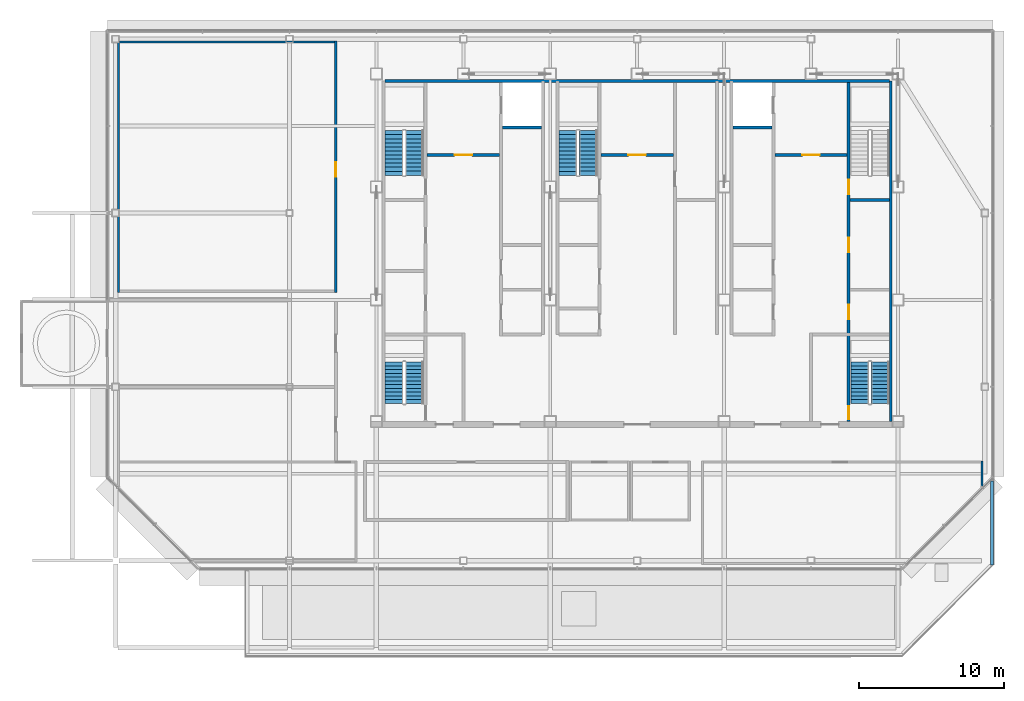
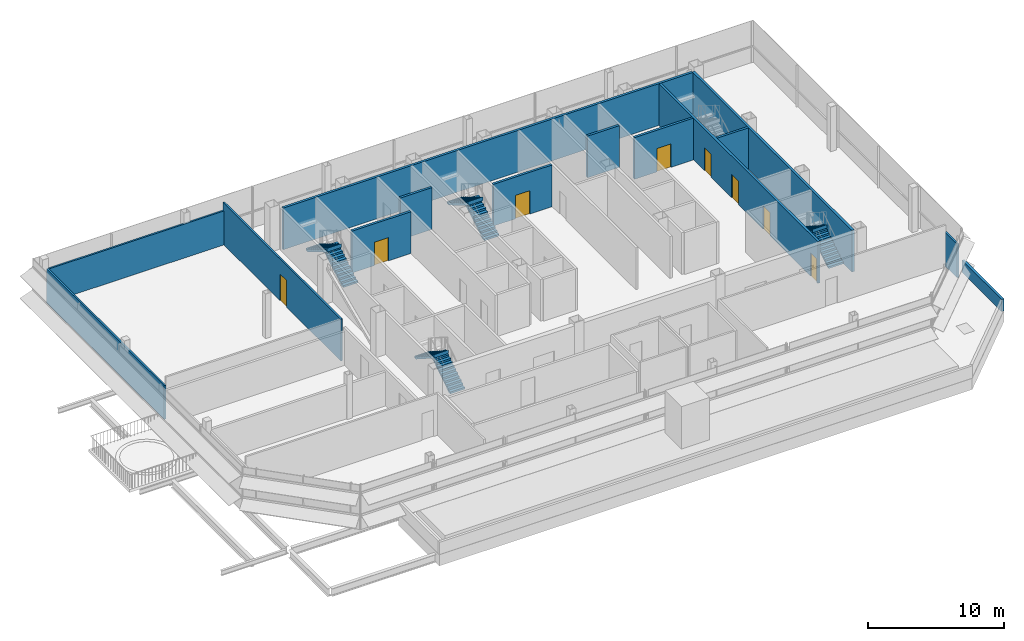
# One storey, part 22 of 26: 14 walls, 8 doors, 8 stair flights, 8 openings, 4 elements without a shape of their own.
"""IFC4 building model written with IfcOpenShell, lengths in metres."""

from ifc_helpers import new_model, si_unit, direction, frame, frame_2d, origin, place, context, subcontext, project, spatial, polyline, rectangle, outline, extrude, material, layer, layer_set, type_object, element, fill, aggregate, save


model = new_model("IFC4")

# Units and contexts
model_context = context("Model", 3, precision=1e-05, world=origin(), true_north=direction((0.0, 1.0)))
body_context = subcontext(model_context, "Body", "Model", "MODEL_VIEW")
ifc_project = project(units=[si_unit("LENGTHUNIT", "METRE"), si_unit("AREAUNIT", "SQUARE_METRE"), si_unit("VOLUMEUNIT", "CUBIC_METRE"), si_unit("PLANEANGLEUNIT", "RADIAN"), si_unit("MASSUNIT", "GRAM", prefix="KILO")], contexts=[model_context])

# Site, building, storey
site_placement = place(None, origin())
site = spatial("IfcSite", under=ifc_project, at=site_placement, CompositionType="ELEMENT")
building_placement = place(site_placement, origin())
building = spatial("IfcBuilding", under=site, at=building_placement, Name="Sorahane Residences", CompositionType="ELEMENT")
storey_placement = place(building_placement, frame((0.0, 0.0, 337.800048828125)))
storey = spatial("IfcBuildingStorey", under=building, at=storey_placement, Name="L80", CompositionType="ELEMENT", Elevation=337.800048828125)

# Walls
ifc_material_1 = material(Name="Concrete C30", Category="concrete")
ifc_layer_1 = layer(ifc_material_1, 0.199951171875)
ifc_layer_set_1 = layer_set([ifc_layer_1], Name="Core face wall 200 EI 180")
wall_type_1 = type_object("IfcWallType", Name="Core face wall 200 EI 180", PredefinedType="SOLIDWALL", material=ifc_layer_set_1)
wall_1_placement = place(storey_placement, frame((41.5, 21.60009765625, 0.0), z_axis=(0.0, 0.0, 1.0), x_axis=(0.0, 1.0, 0.0)))
element("IfcWall", 1, at=wall_1_placement, inside=storey, type_object=wall_type_1, Name="L80 core face wall", PredefinedType="SOLIDWALL", context=body_context, shape_type="SweptSolid", body=[
    extrude(rectangle(XDim=23.5, YDim=0.199951171875, at=frame_2d((11.75, 0.0))), origin(), (0.0, 0.0, 1.0), 3.75),
])
wall_2_placement = place(storey_placement, frame((6.60009765625, 45.10009765625, 0.0), z_axis=(0.0, 0.0, 1.0), x_axis=(1.0, 0.0, 0.0)))
element("IfcWall", 2, at=wall_2_placement, inside=storey, type_object=wall_type_1, Name="L80 core face wall", PredefinedType="SOLIDWALL", context=body_context, shape_type="SweptSolid", body=[
    extrude(rectangle(XDim=34.7998046875, YDim=0.199951171875, at=frame_2d((17.39990234375, 0.0))), origin(), (0.0, 0.0, 1.0), 3.75),
])

# Wall, opening, door
ifc_material_2 = material(Name="Concrete C30", Category="concrete")
ifc_layer_2 = layer(ifc_material_2, 0.199951171875)
ifc_layer_set_2 = layer_set([ifc_layer_2], Name="Front room wall 200 EI 120")
wall_type_2 = type_object("IfcWallType", Name="Front room wall 200 EI 120", PredefinedType="PARTITIONING", material=ifc_layer_set_2)
wall_3_placement = place(storey_placement, frame((21.5, 40.0, 0.0), z_axis=(0.0, 0.0, 1.0), x_axis=(1.0, 0.0, 0.0)))
wall_3 = element("IfcWall", 3, at=wall_3_placement, inside=storey, type_object=wall_type_2, Name="L80 front room wall", PredefinedType="PARTITIONING", context=body_context, shape_type="SweptSolid", body=[
    extrude(rectangle(XDim=5.0, YDim=0.199951171875, at=frame_2d((2.5, 0.0))), origin(), (0.0, 0.0, 1.0), 3.75),
])
opening_1_placement = place(wall_3_placement, frame((1.89990234375, 0.0, 0.0)))
opening_1 = element("IfcOpeningElement", 4, at=opening_1_placement, cuts=wall_3, Name="Opening L80-C07", PredefinedType="OPENING", context=body_context, shape_type="SweptSolid", body=[
    extrude(rectangle(XDim=1.199951171875, YDim=2.10009765625, at=frame_2d((0.60009765625, 1.050048828125))), frame((0.0, 0.10986328125, 0.0), z_axis=(0.0, -1.0, 0.0), x_axis=(1.0, 0.0, 0.0)), (0.0, 0.0, 1.0), 0.219970703125),
])
ifc_material_3 = material(Name="Steel", Category="steel")
door_type_1 = type_object("IfcDoorType", Name="Front room door 1200x2100 FD120", OperationType="NOTDEFINED", PredefinedType="DOOR", material=ifc_material_3)
door_1_placement = place(opening_1_placement, frame((1.199951171875, 0.0, 0.0), z_axis=(0.0, 0.0, 1.0), x_axis=(-1.0, 0.0, 0.0)))
door_1 = element("IfcDoor", 5, at=door_1_placement, inside=storey, type_object=door_type_1, Name="Front room door Stair S3 vestibule L80", OperationType="DOUBLE_DOOR_SINGLE_SWING", OverallHeight=2.10009765625, OverallWidth=1.199951171875, PredefinedType="DOOR", context=body_context, shape_type="SweptSolid", body=[
    extrude(rectangle(XDim=1.199951171875, YDim=2.10009765625, at=frame_2d((0.60009765625, 1.050048828125))), frame((0.0, 0.02490234375, 0.0), z_axis=(0.0, -1.0, 0.0), x_axis=(1.0, 0.0, 0.0)), (0.0, 0.0, 1.0), 0.050048828125),
])
fill(opening_1, door_1)

wall_4_placement = place(storey_placement, frame((33.5, 40.0, 0.0), z_axis=(0.0, 0.0, 1.0), x_axis=(1.0, 0.0, 0.0)))
wall_4 = element("IfcWall", 6, at=wall_4_placement, inside=storey, type_object=wall_type_2, Name="L80 front room wall", PredefinedType="PARTITIONING", context=body_context, shape_type="SweptSolid", body=[
    extrude(rectangle(XDim=5.0, YDim=0.199951171875, at=frame_2d((2.5, 0.0))), origin(), (0.0, 0.0, 1.0), 3.75),
])
opening_2_placement = place(wall_4_placement, frame((1.89990234375, 0.0, 0.0)))
opening_2 = element("IfcOpeningElement", 7, at=opening_2_placement, cuts=wall_4, Name="Opening L80-C08", PredefinedType="OPENING", context=body_context, shape_type="SweptSolid", body=[
    extrude(rectangle(XDim=1.199951171875, YDim=2.10009765625, at=frame_2d((0.60009765625, 1.050048828125))), frame((0.0, 0.10986328125, 0.0), z_axis=(0.0, -1.0, 0.0), x_axis=(1.0, 0.0, 0.0)), (0.0, 0.0, 1.0), 0.219970703125),
])
door_2_placement = place(opening_2_placement, frame((1.199951171875, 0.0, 0.0), z_axis=(0.0, 0.0, 1.0), x_axis=(-1.0, 0.0, 0.0)))
door_2 = element("IfcDoor", 8, at=door_2_placement, inside=storey, type_object=door_type_1, Name="Front room door Firefighting lobby FF2 front room L80", OperationType="DOUBLE_DOOR_SINGLE_SWING", OverallHeight=2.10009765625, OverallWidth=1.199951171875, PredefinedType="DOOR", context=body_context, shape_type="SweptSolid", body=[
    extrude(rectangle(XDim=1.199951171875, YDim=2.10009765625, at=frame_2d((0.60009765625, 1.050048828125))), frame((0.0, 0.02490234375, 0.0), z_axis=(0.0, -1.0, 0.0), x_axis=(1.0, 0.0, 0.0)), (0.0, 0.0, 1.0), 0.050048828125),
])
fill(opening_2, door_2)

wall_5_placement = place(storey_placement, frame((9.5, 40.0, 0.0), z_axis=(0.0, 0.0, 1.0), x_axis=(1.0, 0.0, 0.0)))
wall_5 = element("IfcWall", 9, at=wall_5_placement, inside=storey, type_object=wall_type_2, Name="L80 front room wall", PredefinedType="PARTITIONING", context=body_context, shape_type="SweptSolid", body=[
    extrude(rectangle(XDim=5.0, YDim=0.199951171875, at=frame_2d((2.5, 0.0))), origin(), (0.0, 0.0, 1.0), 3.75),
])
opening_3_placement = place(wall_5_placement, frame((1.89990234375, 0.0, 0.0)))
opening_3 = element("IfcOpeningElement", 10, at=opening_3_placement, cuts=wall_5, Name="Opening L80-C06", PredefinedType="OPENING", context=body_context, shape_type="SweptSolid", body=[
    extrude(rectangle(XDim=1.199951171875, YDim=2.10009765625, at=frame_2d((0.60009765625, 1.050048828125))), frame((0.0, 0.10986328125, 0.0), z_axis=(0.0, -1.0, 0.0), x_axis=(1.0, 0.0, 0.0)), (0.0, 0.0, 1.0), 0.219970703125),
])
door_3_placement = place(opening_3_placement, frame((1.199951171875, 0.0, 0.0), z_axis=(0.0, 0.0, 1.0), x_axis=(-1.0, 0.0, 0.0)))
door_3 = element("IfcDoor", 11, at=door_3_placement, inside=storey, type_object=door_type_1, Name="Front room door Firefighting lobby FF1 front room L80", OperationType="DOUBLE_DOOR_SINGLE_SWING", OverallHeight=2.10009765625, OverallWidth=1.199951171875, PredefinedType="DOOR", context=body_context, shape_type="SweptSolid", body=[
    extrude(rectangle(XDim=1.199951171875, YDim=2.10009765625, at=frame_2d((0.60009765625, 1.050048828125))), frame((0.0, 0.02490234375, 0.0), z_axis=(0.0, -1.0, 0.0), x_axis=(1.0, 0.0, 0.0)), (0.0, 0.0, 1.0), 0.050048828125),
])
fill(opening_3, door_3)

# Walls
ifc_material_4 = material(Name="Concrete C30", Category="concrete")
ifc_layer_3 = layer(ifc_material_4, 0.199951171875)
ifc_layer_set_3 = layer_set([ifc_layer_3], Name="Lift shaft wall 200 EI 120")
wall_type_3 = type_object("IfcWallType", Name="Lift shaft wall 200 EI 120", PredefinedType="SOLIDWALL", material=ifc_layer_set_3)
for number, where, z_axis, x_axis, name in (
    (12, (14.699951171875, 41.89990234375, 0.0), (0.0, 0.0, 1.0), (1.0, 0.0, 0.0), "L80 lift shaft wall"),
    (13, (30.60009765625, 41.89990234375, 0.0), (0.0, 0.0, 1.0), (1.0, 0.0, 0.0), "L80 lift shaft wall"),
):
    element("IfcWall", number, at=place(storey_placement, frame(where, z_axis=z_axis, x_axis=x_axis)), inside=storey, type_object=wall_type_3, Name=name, PredefinedType="SOLIDWALL", context=body_context, shape_type="SweptSolid", body=[
        extrude(rectangle(XDim=2.699951171875, YDim=0.199951171875, at=frame_2d((1.35009765625, 0.0))), origin(), (0.0, 0.0, 1.0), 3.75),
    ])
ifc_material_5 = material(Name="Concrete C35", Category="concrete")
ifc_layer_4 = layer(ifc_material_5, 0.199951171875)
ifc_layer_set_4 = layer_set([ifc_layer_4], Name="Parapet wall Concrete C35 200")
wall_type_4 = type_object("IfcWallType", Name="Parapet wall Concrete C35 200", PredefinedType="PARAPET", material=ifc_layer_set_4)
wall_6_placement = place(storey_placement, frame((48.5, 17.510009765625, 0.0), z_axis=(0.0, 0.0, 1.0), x_axis=(0.0, -1.0, 0.0)))
element("IfcWall", 14, at=wall_6_placement, inside=storey, type_object=wall_type_4, Name="Roof parapet L80.1.1.1", PredefinedType="PARAPET", context=body_context, shape_type="SweptSolid", body=[
    extrude(rectangle(XDim=5.817138671875, YDim=0.199951171875, at=frame_2d((2.90869140625, 0.0))), origin(), (0.0, 0.0, 1.0), 1.099853515625),
])
ifc_material_6 = material(Name="Gypsum board partition on steel studs", Category="steel")
ifc_layer_5 = layer(ifc_material_6, 0.14990234375)
ifc_layer_set_5 = layer_set([ifc_layer_5], Name="Partition 150 EI 90")
wall_type_5 = type_object("IfcWallType", Name="Partition 150 EI 90", PredefinedType="PARTITIONING", material=ifc_layer_set_5)
wall_7_placement = place(storey_placement, frame((-11.800048828125, 30.52490234375, 0.0), z_axis=(0.0, 0.0, 1.0), x_axis=(0.0, 1.0, 0.0)))
element("IfcWall", 15, at=wall_7_placement, inside=storey, type_object=wall_type_5, Name="L80 partition", PredefinedType="PARTITIONING", context=body_context, shape_type="SweptSolid", body=[
    extrude(rectangle(XDim=17.35009765625, YDim=0.14990234375, at=frame_2d((8.675048828125, 0.0))), origin(), (0.0, 0.0, 1.0), 3.050048828125),
])

# Wall, opening, door
wall_8_placement = place(storey_placement, frame((3.199951171875, 30.52490234375, 0.0), z_axis=(0.0, 0.0, 1.0), x_axis=(0.0, 1.0, 0.0)))
wall_8 = element("IfcWall", 16, at=wall_8_placement, inside=storey, type_object=wall_type_5, Name="L80 partition", PredefinedType="PARTITIONING", context=body_context, shape_type="SweptSolid", body=[
    extrude(rectangle(XDim=17.35009765625, YDim=0.14990234375, at=frame_2d((8.675048828125, 0.0))), origin(), (0.0, 0.0, 1.0), 3.75),
])
opening_4_placement = place(wall_8_placement, frame((7.97509765625, 0.0, 0.0)))
opening_4 = element("IfcOpeningElement", 17, at=opening_4_placement, cuts=wall_8, Name="Opening L80-05", PredefinedType="OPENING", context=body_context, shape_type="SweptSolid", body=[
    extrude(rectangle(XDim=1.0, YDim=2.39990234375, at=frame_2d((0.5, 1.199951171875))), frame((0.0, 0.0849609375, 0.0), z_axis=(0.0, -1.0, 0.0), x_axis=(1.0, 0.0, 0.0)), (0.0, 0.0, 1.0), 0.169921875),
])
ifc_material_7 = material(Name="Timber veneered fire door", Category="wood")
door_type_2 = type_object("IfcDoorType", Name="Room door 1000x2400 FD30", OperationType="NOTDEFINED", PredefinedType="DOOR", material=ifc_material_7)
door_4_placement = place(opening_4_placement, origin())
door_4 = element("IfcDoor", 18, at=door_4_placement, inside=storey, type_object=door_type_2, Name="Room door L80-05", OperationType="SINGLE_SWING_LEFT", OverallHeight=2.39990234375, OverallWidth=1.0, PredefinedType="DOOR", context=body_context, shape_type="SweptSolid", body=[
    extrude(rectangle(XDim=1.0, YDim=2.39990234375, at=frame_2d((0.5, 1.199951171875))), frame((0.0, 0.02490234375, 0.0), z_axis=(0.0, -1.0, 0.0), x_axis=(1.0, 0.0, 0.0)), (0.0, 0.0, 1.0), 0.050048828125),
])
fill(opening_4, door_4)

# Walls
wall_9_placement = place(storey_placement, frame((47.800048828125, 17.093017578125, 0.0), z_axis=(0.0, 0.0, 1.0), x_axis=(0.0, 1.0, 0.0)))
element("IfcWall", 19, at=wall_9_placement, inside=storey, type_object=wall_type_5, Name="L80 partition", PredefinedType="PARTITIONING", context=body_context, shape_type="SweptSolid", body=[
    extrude(rectangle(XDim=1.781982421875, YDim=0.14990234375, at=frame_2d((0.89111328125, 0.0))), origin(), (0.0, 0.0, 1.0), 3.050048828125),
])
wall_10_placement = place(storey_placement, frame((-11.72509765625, 47.800048828125, 0.0), z_axis=(0.0, 0.0, 1.0), x_axis=(1.0, 0.0, 0.0)))
element("IfcWall", 20, at=wall_10_placement, inside=storey, type_object=wall_type_5, Name="L80 partition", PredefinedType="PARTITIONING", context=body_context, shape_type="SweptSolid", body=[
    extrude(rectangle(XDim=14.85009765625, YDim=0.14990234375, at=frame_2d((7.425048828125, 0.0))), origin(), (0.0, 0.0, 1.0), 3.050048828125),
])

# Wall, openings, doors
ifc_material_8 = material(Name="Concrete C30", Category="concrete")
ifc_layer_6 = layer(ifc_material_8, 0.199951171875)
ifc_layer_set_6 = layer_set([ifc_layer_6], Name="Stair enclosure wall 200 EI 120")
wall_type_6 = type_object("IfcWallType", Name="Stair enclosure wall 200 EI 120", PredefinedType="SOLIDWALL", material=ifc_layer_set_6)
wall_11_placement = place(storey_placement, frame((38.60009765625, 21.60009765625, 0.0), z_axis=(0.0, 0.0, 1.0), x_axis=(0.0, 1.0, 0.0)))
wall_11 = element("IfcWall", 21, at=wall_11_placement, inside=storey, type_object=wall_type_6, Name="L80 stair enclosure wall", PredefinedType="SOLIDWALL", context=body_context, shape_type="SweptSolid", body=[
    extrude(rectangle(XDim=23.39990234375, YDim=0.199951171875, at=frame_2d((11.699951171875, 0.0))), origin(), (0.0, 0.0, 1.0), 3.75),
])
opening_5_placement = place(wall_11_placement, frame((7.050048828125, 0.0, 0.0)))
opening_5 = element("IfcOpeningElement", 22, at=opening_5_placement, cuts=wall_11, Name="Opening L80-C13", PredefinedType="OPENING", context=body_context, shape_type="SweptSolid", body=[
    extrude(rectangle(XDim=1.0, YDim=2.10009765625, at=frame_2d((0.5, 1.050048828125))), frame((0.0, 0.10986328125, 0.0), z_axis=(0.0, -1.0, 0.0), x_axis=(1.0, 0.0, 0.0)), (0.0, 0.0, 1.0), 0.219970703125),
])
opening_6_placement = place(wall_11_placement, frame((11.699951171875, 0.0, 0.0)))
opening_6 = element("IfcOpeningElement", 23, at=opening_6_placement, cuts=wall_11, Name="Opening L80-C14", PredefinedType="OPENING", context=body_context, shape_type="SweptSolid", body=[
    extrude(rectangle(XDim=1.0, YDim=2.10009765625, at=frame_2d((0.5, 1.050048828125))), frame((0.0, 0.10986328125, 0.0), z_axis=(0.0, -1.0, 0.0), x_axis=(1.0, 0.0, 0.0)), (0.0, 0.0, 1.0), 0.219970703125),
])
opening_7_placement = place(wall_11_placement, frame((15.699951171875, 0.0, 0.0)))
opening_7 = element("IfcOpeningElement", 24, at=opening_7_placement, cuts=wall_11, Name="Opening L80-C22", PredefinedType="OPENING", context=body_context, shape_type="SweptSolid", body=[
    extrude(rectangle(XDim=1.0, YDim=2.10009765625, at=frame_2d((0.5, 1.050048828125))), frame((0.0, 0.10986328125, 0.0), z_axis=(0.0, -1.0, 0.0), x_axis=(1.0, 0.0, 0.0)), (0.0, 0.0, 1.0), 0.219970703125),
])
opening_8_placement = place(wall_11_placement, frame((0.175048828125, 0.0, 0.0)))
opening_8 = element("IfcOpeningElement", 25, at=opening_8_placement, cuts=wall_11, Name="Opening L80-C25", PredefinedType="OPENING", context=body_context, shape_type="SweptSolid", body=[
    extrude(rectangle(XDim=0.89990234375, YDim=2.10009765625, at=frame_2d((0.449951171875, 1.050048828125))), frame((0.0, 0.10986328125, 0.0), z_axis=(0.0, -1.0, 0.0), x_axis=(1.0, 0.0, 0.0)), (0.0, 0.0, 1.0), 0.219970703125),
])
ifc_material_9 = material(Name="Steel", Category="steel")
door_type_3 = type_object("IfcDoorType", Name="Service room door 1000x2100 FD60", OperationType="NOTDEFINED", PredefinedType="DOOR", material=ifc_material_9)
door_5_placement = place(opening_5_placement, frame((1.0, 0.0, 0.0), z_axis=(0.0, 0.0, 1.0), x_axis=(-1.0, 0.0, 0.0)))
door_5 = element("IfcDoor", 26, at=door_5_placement, inside=storey, type_object=door_type_3, Name="Service room door Flower room L80", OperationType="SINGLE_SWING_LEFT", OverallHeight=2.10009765625, OverallWidth=1.0, PredefinedType="DOOR", context=body_context, shape_type="SweptSolid", body=[
    extrude(rectangle(XDim=1.0, YDim=2.10009765625, at=frame_2d((0.5, 1.050048828125))), frame((0.0, 0.02490234375, 0.0), z_axis=(0.0, -1.0, 0.0), x_axis=(1.0, 0.0, 0.0)), (0.0, 0.0, 1.0), 0.050048828125),
])
fill(opening_5, door_5)
door_6_placement = place(opening_6_placement, frame((1.0, 0.0, 0.0), z_axis=(0.0, 0.0, 1.0), x_axis=(-1.0, 0.0, 0.0)))
door_6 = element("IfcDoor", 27, at=door_6_placement, inside=storey, type_object=door_type_3, Name="Service room door Archive L80", OperationType="SINGLE_SWING_LEFT", OverallHeight=2.10009765625, OverallWidth=1.0, PredefinedType="DOOR", context=body_context, shape_type="SweptSolid", body=[
    extrude(rectangle(XDim=1.0, YDim=2.10009765625, at=frame_2d((0.5, 1.050048828125))), frame((0.0, 0.02490234375, 0.0), z_axis=(0.0, -1.0, 0.0), x_axis=(1.0, 0.0, 0.0)), (0.0, 0.0, 1.0), 0.050048828125),
])
fill(opening_6, door_6)
ifc_material_10 = material(Name="Steel", Category="steel")
door_type_4 = type_object("IfcDoorType", Name="Stair door 1000x2100 FD120", OperationType="NOTDEFINED", PredefinedType="DOOR", material=ifc_material_10)
door_7_placement = place(opening_7_placement, frame((1.0, 0.0, 0.0), z_axis=(0.0, 0.0, 1.0), x_axis=(-1.0, 0.0, 0.0)))
door_7 = element("IfcDoor", 28, at=door_7_placement, inside=storey, type_object=door_type_4, Name="Stair door S2 L80", OperationType="SINGLE_SWING_LEFT", OverallHeight=2.10009765625, OverallWidth=1.0, PredefinedType="DOOR", context=body_context, shape_type="SweptSolid", body=[
    extrude(rectangle(XDim=1.0, YDim=2.10009765625, at=frame_2d((0.5, 1.050048828125))), frame((0.0, 0.02490234375, 0.0), z_axis=(0.0, -1.0, 0.0), x_axis=(1.0, 0.0, 0.0)), (0.0, 0.0, 1.0), 0.050048828125),
])
fill(opening_7, door_7)
ifc_material_11 = material(Name="Steel", Category="steel")
door_type_5 = type_object("IfcDoorType", Name="Stair door 900x2100 FD120", OperationType="NOTDEFINED", PredefinedType="DOOR", material=ifc_material_11)
door_8_placement = place(opening_8_placement, frame((0.89990234375, 0.0, 0.0), z_axis=(0.0, 0.0, 1.0), x_axis=(-1.0, 0.0, 0.0)))
door_8 = element("IfcDoor", 29, at=door_8_placement, inside=storey, type_object=door_type_5, Name="Stair door S5 L80", OperationType="SINGLE_SWING_LEFT", OverallHeight=2.10009765625, OverallWidth=0.89990234375, PredefinedType="DOOR", context=body_context, shape_type="SweptSolid", body=[
    extrude(rectangle(XDim=0.89990234375, YDim=2.10009765625, at=frame_2d((0.449951171875, 1.050048828125))), frame((0.0, 0.02490234375, 0.0), z_axis=(0.0, -1.0, 0.0), x_axis=(1.0, 0.0, 0.0)), (0.0, 0.0, 1.0), 0.050048828125),
])
fill(opening_8, door_8)

# Wall
wall_12_placement = place(storey_placement, frame((38.699951171875, 36.89990234375, 0.0), z_axis=(0.0, 0.0, 1.0), x_axis=(1.0, 0.0, 0.0)))
element("IfcWall", 30, at=wall_12_placement, inside=storey, type_object=wall_type_6, Name="L80 stair enclosure wall", PredefinedType="SOLIDWALL", context=body_context, shape_type="SweptSolid", body=[
    extrude(rectangle(XDim=2.699951171875, YDim=0.199951171875, at=frame_2d((1.35009765625, 0.0))), origin(), (0.0, 0.0, 1.0), 3.75),
])

# Stair, stair flights
ifc_material_12 = material(Name="Concrete C40", Category="concrete")
stair_type = type_object("IfcStairType", Name="Dog-leg stair 1250 Concrete C40", PredefinedType="HALF_TURN_STAIR", material=ifc_material_12)
stair_1_placement = place(storey_placement, origin())
stair_1 = element("IfcStair", 31, at=stair_1_placement, inside=storey, type_object=stair_type, Name="L80 Stair S1", PredefinedType="HALF_TURN_STAIR")
ifc_material_13 = material(Name="Concrete C40", Category="concrete")
stair_flight_type = type_object("IfcStairFlightType", Name="Stair flight 1250 Concrete C40", PredefinedType="STRAIGHT", material=ifc_material_13)
stair_flight_1_placement = place(storey_placement, frame((8.625, 38.60009765625, 0.0), z_axis=(0.0, 0.0, 1.0), x_axis=(0.0, 1.0, 0.0)))
stair_flight_1 = element("IfcStairFlight", 32, at=stair_flight_1_placement, type_object=stair_flight_type, Name="S1 flight 1", NumberOfRisers=12, NumberOfTreads=11, PredefinedType="STRAIGHT", RiserHeight=0.166666667, TreadLength=0.28, context=body_context, shape_type="SweptSolid", body=[
    extrude(outline(polyline([(-0.00146484375, 0.0), (-0.00146484375, 0.166748046875), (0.0, 0.166748046875), (0.280029296875, 0.166748046875), (0.280029296875, 0.333251953125), (0.56005859375, 0.333251953125), (0.56005859375, 0.5), (0.840087890625, 0.5), (0.840087890625, 0.666748046875), (1.1201171875, 0.666748046875), (1.1201171875, 0.833251953125), (1.39990234375, 0.833251953125), (1.39990234375, 1.0), (1.679931640625, 1.0), (1.679931640625, 1.166748046875), (1.9599609375, 1.166748046875), (1.9599609375, 1.333251953125), (2.239990234375, 1.333251953125), (2.239990234375, 1.5), (2.52001953125, 1.5), (2.52001953125, 1.666748046875), (2.800048828125, 1.666748046875), (2.800048828125, 1.833251953125), (3.080078125, 1.833251953125), (3.080078125, 2.0), (3.080078125, 1.658935546875), (2.86572265625, 1.53125), (2.651123046875, 1.403564453125), (2.436767578125, 1.276123046875), (2.222412109375, 1.1484375), (2.008056640625, 1.020751953125), (1.793701171875, 0.893310546875), (1.579345703125, 0.765625), (1.364990234375, 0.637939453125), (1.150634765625, 0.510498046875), (0.936279296875, 0.3828125), (0.721923828125, 0.255126953125), (0.507568359375, 0.127685546875), (0.29296875, 0.0), (-0.00146484375, 0.0)])), frame((0.0, 0.625, 0.0), z_axis=(0.0, -1.0, 0.0), x_axis=(1.0, 0.0, 0.0)), (0.0, 0.0, 1.0), 1.25),
])
stair_flight_2_placement = place(storey_placement, frame((7.22509765625, 41.679931640625, 2.0), z_axis=(0.0, 0.0, 1.0), x_axis=(0.0, -1.0, 0.0)))
stair_flight_2 = element("IfcStairFlight", 33, at=stair_flight_2_placement, type_object=stair_flight_type, Name="S1 flight 2", NumberOfRisers=12, NumberOfTreads=11, PredefinedType="STRAIGHT", RiserHeight=0.166666667, TreadLength=0.28, context=body_context, shape_type="SweptSolid", body=[
    extrude(outline(polyline([(0.0, 0.0), (0.0, 0.166748046875), (0.280029296875, 0.166748046875), (0.280029296875, 0.333251953125), (0.56005859375, 0.333251953125), (0.56005859375, 0.5), (0.840087890625, 0.5), (0.840087890625, 0.666748046875), (1.1201171875, 0.666748046875), (1.1201171875, 0.833251953125), (1.39990234375, 0.833251953125), (1.39990234375, 1.0), (1.679931640625, 1.0), (1.679931640625, 1.166748046875), (1.9599609375, 1.166748046875), (1.9599609375, 1.333251953125), (2.239990234375, 1.333251953125), (2.239990234375, 1.5), (2.52001953125, 1.5), (2.52001953125, 1.666748046875), (2.800048828125, 1.666748046875), (2.800048828125, 1.833251953125), (3.080078125, 1.833251953125), (3.080078125, 2.0), (3.08154296875, 2.0), (3.08154296875, 1.658935546875), (2.866943359375, 1.53125), (2.652587890625, 1.403564453125), (2.43798828125, 1.276123046875), (2.2236328125, 1.1484375), (2.009033203125, 1.020751953125), (1.79443359375, 0.893310546875), (1.580078125, 0.765625), (1.365478515625, 0.637939453125), (1.151123046875, 0.510498046875), (0.9365234375, 0.3828125), (0.72216796875, 0.255126953125), (0.507568359375, 0.127685546875), (0.29296875, 0.0), (0.0, 0.0)])), frame((0.0, 0.625, 0.0), z_axis=(0.0, -1.0, 0.0), x_axis=(1.0, 0.0, 0.0)), (0.0, 0.0, 1.0), 1.25),
])
aggregate(stair_1, [stair_flight_1, stair_flight_2])

stair_2_placement = place(storey_placement, origin())
stair_2 = element("IfcStair", 34, at=stair_2_placement, inside=storey, type_object=stair_type, Name="L80 Stair S3", PredefinedType="HALF_TURN_STAIR")
stair_flight_3_placement = place(storey_placement, frame((20.625, 38.60009765625, 0.0), z_axis=(0.0, 0.0, 1.0), x_axis=(0.0, 1.0, 0.0)))
stair_flight_3 = element("IfcStairFlight", 35, at=stair_flight_3_placement, type_object=stair_flight_type, Name="S3 flight 1", NumberOfRisers=12, NumberOfTreads=11, PredefinedType="STRAIGHT", RiserHeight=0.166666667, TreadLength=0.28, context=body_context, shape_type="SweptSolid", body=[
    extrude(outline(polyline([(-0.00146484375, 0.0), (-0.00146484375, 0.166748046875), (0.0, 0.166748046875), (0.280029296875, 0.166748046875), (0.280029296875, 0.333251953125), (0.56005859375, 0.333251953125), (0.56005859375, 0.5), (0.840087890625, 0.5), (0.840087890625, 0.666748046875), (1.1201171875, 0.666748046875), (1.1201171875, 0.833251953125), (1.39990234375, 0.833251953125), (1.39990234375, 1.0), (1.679931640625, 1.0), (1.679931640625, 1.166748046875), (1.9599609375, 1.166748046875), (1.9599609375, 1.333251953125), (2.239990234375, 1.333251953125), (2.239990234375, 1.5), (2.52001953125, 1.5), (2.52001953125, 1.666748046875), (2.800048828125, 1.666748046875), (2.800048828125, 1.833251953125), (3.080078125, 1.833251953125), (3.080078125, 2.0), (3.080078125, 1.658935546875), (2.86572265625, 1.53125), (2.651123046875, 1.403564453125), (2.436767578125, 1.276123046875), (2.222412109375, 1.1484375), (2.008056640625, 1.020751953125), (1.793701171875, 0.893310546875), (1.579345703125, 0.765625), (1.364990234375, 0.637939453125), (1.150634765625, 0.510498046875), (0.936279296875, 0.3828125), (0.721923828125, 0.255126953125), (0.507568359375, 0.127685546875), (0.29296875, 0.0), (-0.00146484375, 0.0)])), frame((0.0, 0.625, 0.0), z_axis=(0.0, -1.0, 0.0), x_axis=(1.0, 0.0, 0.0)), (0.0, 0.0, 1.0), 1.25),
])
stair_flight_4_placement = place(storey_placement, frame((19.22509765625, 41.679931640625, 2.0), z_axis=(0.0, 0.0, 1.0), x_axis=(0.0, -1.0, 0.0)))
stair_flight_4 = element("IfcStairFlight", 36, at=stair_flight_4_placement, type_object=stair_flight_type, Name="S3 flight 2", NumberOfRisers=12, NumberOfTreads=11, PredefinedType="STRAIGHT", RiserHeight=0.166666667, TreadLength=0.28, context=body_context, shape_type="SweptSolid", body=[
    extrude(outline(polyline([(0.0, 0.0), (0.0, 0.166748046875), (0.280029296875, 0.166748046875), (0.280029296875, 0.333251953125), (0.56005859375, 0.333251953125), (0.56005859375, 0.5), (0.840087890625, 0.5), (0.840087890625, 0.666748046875), (1.1201171875, 0.666748046875), (1.1201171875, 0.833251953125), (1.39990234375, 0.833251953125), (1.39990234375, 1.0), (1.679931640625, 1.0), (1.679931640625, 1.166748046875), (1.9599609375, 1.166748046875), (1.9599609375, 1.333251953125), (2.239990234375, 1.333251953125), (2.239990234375, 1.5), (2.52001953125, 1.5), (2.52001953125, 1.666748046875), (2.800048828125, 1.666748046875), (2.800048828125, 1.833251953125), (3.080078125, 1.833251953125), (3.080078125, 2.0), (3.08154296875, 2.0), (3.08154296875, 1.658935546875), (2.866943359375, 1.53125), (2.652587890625, 1.403564453125), (2.43798828125, 1.276123046875), (2.2236328125, 1.1484375), (2.009033203125, 1.020751953125), (1.79443359375, 0.893310546875), (1.580078125, 0.765625), (1.365478515625, 0.637939453125), (1.151123046875, 0.510498046875), (0.9365234375, 0.3828125), (0.72216796875, 0.255126953125), (0.507568359375, 0.127685546875), (0.29296875, 0.0), (0.0, 0.0)])), frame((0.0, 0.625, 0.0), z_axis=(0.0, -1.0, 0.0), x_axis=(1.0, 0.0, 0.0)), (0.0, 0.0, 1.0), 1.25),
])
aggregate(stair_2, [stair_flight_3, stair_flight_4])

stair_3_placement = place(storey_placement, origin())
stair_3 = element("IfcStair", 37, at=stair_3_placement, inside=storey, type_object=stair_type, Name="L80 Stair S4", PredefinedType="HALF_TURN_STAIR")
stair_flight_5_placement = place(storey_placement, frame((8.625, 22.85009765625, 0.0), z_axis=(0.0, 0.0, 1.0), x_axis=(0.0, 1.0, 0.0)))
stair_flight_5 = element("IfcStairFlight", 38, at=stair_flight_5_placement, type_object=stair_flight_type, Name="S4 flight 1", NumberOfRisers=12, NumberOfTreads=11, PredefinedType="STRAIGHT", RiserHeight=0.166666667, TreadLength=0.26, context=body_context, shape_type="SweptSolid", body=[
    extrude(outline(polyline([(-0.00146484375, 0.0), (-0.00146484375, 0.166748046875), (0.0, 0.166748046875), (0.260009765625, 0.166748046875), (0.260009765625, 0.333251953125), (0.52001953125, 0.333251953125), (0.52001953125, 0.5), (0.780029296875, 0.5), (0.780029296875, 0.666748046875), (1.0400390625, 0.666748046875), (1.0400390625, 0.833251953125), (1.300048828125, 0.833251953125), (1.300048828125, 1.0), (1.56005859375, 1.0), (1.56005859375, 1.166748046875), (1.820068359375, 1.166748046875), (1.820068359375, 1.333251953125), (2.080078125, 1.333251953125), (2.080078125, 1.5), (2.340087890625, 1.5), (2.340087890625, 1.666748046875), (2.60009765625, 1.666748046875), (2.60009765625, 1.833251953125), (2.860107421875, 1.833251953125), (2.860107421875, 2.0), (2.860107421875, 1.690673828125), (2.6572265625, 1.560546875), (2.454345703125, 1.4306640625), (2.25146484375, 1.300537109375), (2.048583984375, 1.17041015625), (1.845703125, 1.040283203125), (1.642822265625, 0.910400390625), (1.43994140625, 0.7802734375), (1.237060546875, 0.650146484375), (1.0341796875, 0.520263671875), (0.831298828125, 0.39013671875), (0.62841796875, 0.260009765625), (0.425537109375, 0.130126953125), (0.22265625, 0.0), (-0.00146484375, 0.0)])), frame((0.0, 0.625, 0.0), z_axis=(0.0, -1.0, 0.0), x_axis=(1.0, 0.0, 0.0)), (0.0, 0.0, 1.0), 1.25),
])
stair_flight_6_placement = place(storey_placement, frame((7.22509765625, 25.7099609375, 2.0), z_axis=(0.0, 0.0, 1.0), x_axis=(0.0, -1.0, 0.0)))
stair_flight_6 = element("IfcStairFlight", 39, at=stair_flight_6_placement, type_object=stair_flight_type, Name="S4 flight 2", NumberOfRisers=12, NumberOfTreads=11, PredefinedType="STRAIGHT", RiserHeight=0.166666667, TreadLength=0.26, context=body_context, shape_type="SweptSolid", body=[
    extrude(outline(polyline([(0.0, 0.0), (0.0, 0.166748046875), (0.260009765625, 0.166748046875), (0.260009765625, 0.333251953125), (0.52001953125, 0.333251953125), (0.52001953125, 0.5), (0.780029296875, 0.5), (0.780029296875, 0.666748046875), (1.0400390625, 0.666748046875), (1.0400390625, 0.833251953125), (1.300048828125, 0.833251953125), (1.300048828125, 1.0), (1.56005859375, 1.0), (1.56005859375, 1.166748046875), (1.820068359375, 1.166748046875), (1.820068359375, 1.333251953125), (2.080078125, 1.333251953125), (2.080078125, 1.5), (2.340087890625, 1.5), (2.340087890625, 1.666748046875), (2.60009765625, 1.666748046875), (2.60009765625, 1.833251953125), (2.860107421875, 1.833251953125), (2.860107421875, 2.0), (2.861572265625, 2.0), (2.861572265625, 1.690673828125), (2.658447265625, 1.560546875), (2.45556640625, 1.4306640625), (2.25244140625, 1.300537109375), (2.049560546875, 1.17041015625), (1.846435546875, 1.040283203125), (1.6435546875, 0.910400390625), (1.4404296875, 0.7802734375), (1.237548828125, 0.650146484375), (1.03466796875, 0.520263671875), (0.83154296875, 0.39013671875), (0.628662109375, 0.260009765625), (0.425537109375, 0.130126953125), (0.22265625, 0.0), (0.0, 0.0)])), frame((0.0, 0.625, 0.0), z_axis=(0.0, -1.0, 0.0), x_axis=(1.0, 0.0, 0.0)), (0.0, 0.0, 1.0), 1.25),
])
aggregate(stair_3, [stair_flight_5, stair_flight_6])

stair_4_placement = place(storey_placement, origin())
stair_4 = element("IfcStair", 40, at=stair_4_placement, inside=storey, type_object=stair_type, Name="L80 Stair S5", PredefinedType="HALF_TURN_STAIR")
stair_flight_7_placement = place(storey_placement, frame((40.77490234375, 22.85009765625, 0.0), z_axis=(0.0, 0.0, 1.0), x_axis=(0.0, 1.0, 0.0)))
stair_flight_7 = element("IfcStairFlight", 41, at=stair_flight_7_placement, type_object=stair_flight_type, Name="S5 flight 1", NumberOfRisers=12, NumberOfTreads=11, PredefinedType="STRAIGHT", RiserHeight=0.166666667, TreadLength=0.26, context=body_context, shape_type="SweptSolid", body=[
    extrude(outline(polyline([(-0.00146484375, 0.0), (-0.00146484375, 0.166748046875), (0.0, 0.166748046875), (0.260009765625, 0.166748046875), (0.260009765625, 0.333251953125), (0.52001953125, 0.333251953125), (0.52001953125, 0.5), (0.780029296875, 0.5), (0.780029296875, 0.666748046875), (1.0400390625, 0.666748046875), (1.0400390625, 0.833251953125), (1.300048828125, 0.833251953125), (1.300048828125, 1.0), (1.56005859375, 1.0), (1.56005859375, 1.166748046875), (1.820068359375, 1.166748046875), (1.820068359375, 1.333251953125), (2.080078125, 1.333251953125), (2.080078125, 1.5), (2.340087890625, 1.5), (2.340087890625, 1.666748046875), (2.60009765625, 1.666748046875), (2.60009765625, 1.833251953125), (2.860107421875, 1.833251953125), (2.860107421875, 2.0), (2.860107421875, 1.690673828125), (2.6572265625, 1.560546875), (2.454345703125, 1.4306640625), (2.25146484375, 1.300537109375), (2.048583984375, 1.17041015625), (1.845703125, 1.040283203125), (1.642822265625, 0.910400390625), (1.43994140625, 0.7802734375), (1.237060546875, 0.650146484375), (1.0341796875, 0.520263671875), (0.831298828125, 0.39013671875), (0.62841796875, 0.260009765625), (0.425537109375, 0.130126953125), (0.22265625, 0.0), (-0.00146484375, 0.0)])), frame((0.0, 0.625, 0.0), z_axis=(0.0, -1.0, 0.0), x_axis=(1.0, 0.0, 0.0)), (0.0, 0.0, 1.0), 1.25),
])
stair_flight_8_placement = place(storey_placement, frame((39.375, 25.7099609375, 2.0), z_axis=(0.0, 0.0, 1.0), x_axis=(0.0, -1.0, 0.0)))
stair_flight_8 = element("IfcStairFlight", 42, at=stair_flight_8_placement, type_object=stair_flight_type, Name="S5 flight 2", NumberOfRisers=12, NumberOfTreads=11, PredefinedType="STRAIGHT", RiserHeight=0.166666667, TreadLength=0.26, context=body_context, shape_type="SweptSolid", body=[
    extrude(outline(polyline([(0.0, 0.0), (0.0, 0.166748046875), (0.260009765625, 0.166748046875), (0.260009765625, 0.333251953125), (0.52001953125, 0.333251953125), (0.52001953125, 0.5), (0.780029296875, 0.5), (0.780029296875, 0.666748046875), (1.0400390625, 0.666748046875), (1.0400390625, 0.833251953125), (1.300048828125, 0.833251953125), (1.300048828125, 1.0), (1.56005859375, 1.0), (1.56005859375, 1.166748046875), (1.820068359375, 1.166748046875), (1.820068359375, 1.333251953125), (2.080078125, 1.333251953125), (2.080078125, 1.5), (2.340087890625, 1.5), (2.340087890625, 1.666748046875), (2.60009765625, 1.666748046875), (2.60009765625, 1.833251953125), (2.860107421875, 1.833251953125), (2.860107421875, 2.0), (2.861572265625, 2.0), (2.861572265625, 1.690673828125), (2.658447265625, 1.560546875), (2.45556640625, 1.4306640625), (2.25244140625, 1.300537109375), (2.049560546875, 1.17041015625), (1.846435546875, 1.040283203125), (1.6435546875, 0.910400390625), (1.4404296875, 0.7802734375), (1.237548828125, 0.650146484375), (1.03466796875, 0.520263671875), (0.83154296875, 0.39013671875), (0.628662109375, 0.260009765625), (0.425537109375, 0.130126953125), (0.22265625, 0.0), (0.0, 0.0)])), frame((0.0, 0.625, 0.0), z_axis=(0.0, -1.0, 0.0), x_axis=(1.0, 0.0, 0.0)), (0.0, 0.0, 1.0), 1.25),
])
aggregate(stair_4, [stair_flight_7, stair_flight_8])

save(model, "model.ifc")
